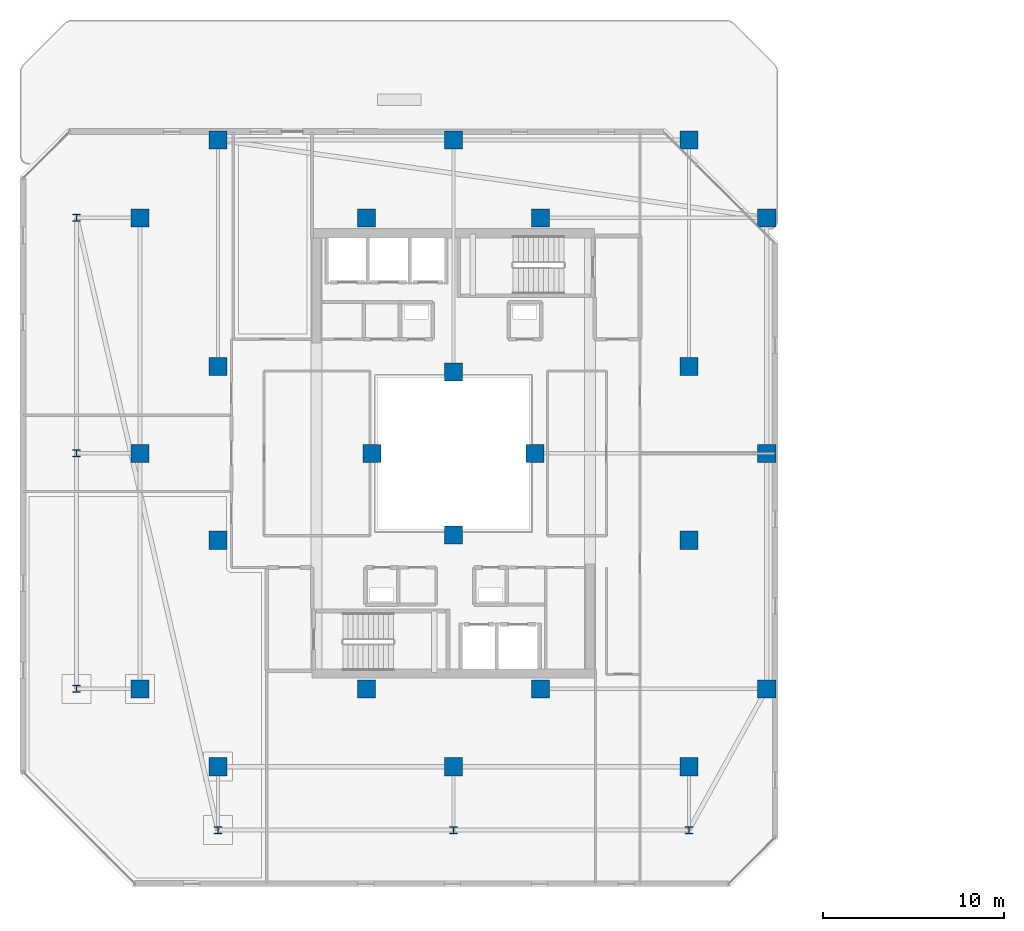
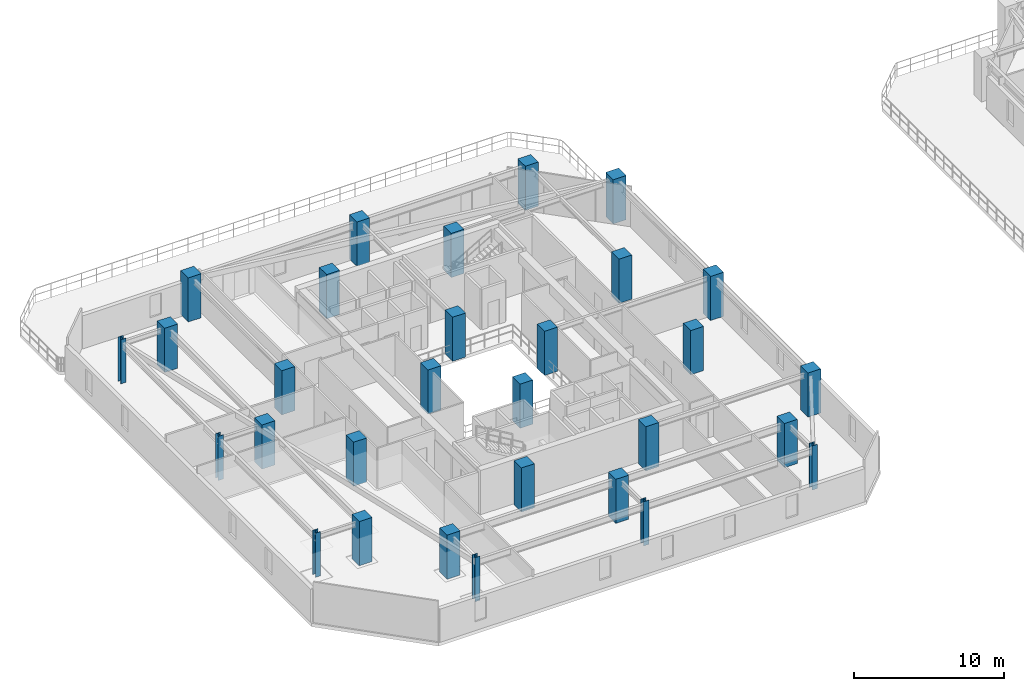
# One storey, part 1 of 29: 30 columns.
"""IFC4 building model written with IfcOpenShell, lengths in metres."""

from ifc_helpers import new_model, si_unit, direction, frame, origin, origin_2d, place, context, subcontext, project, spatial, rectangle, i_section, extrude, material, material_profile, profile_set, type_object, element, save


model = new_model("IFC4")

# Units and contexts
model_context = context("Model", 3, precision=1e-05, world=origin(), true_north=direction((0.0, 1.0)))
body_context = subcontext(model_context, "Body", "Model", "MODEL_VIEW")
ifc_project = project(units=[si_unit("LENGTHUNIT", "METRE"), si_unit("AREAUNIT", "SQUARE_METRE"), si_unit("VOLUMEUNIT", "CUBIC_METRE"), si_unit("PLANEANGLEUNIT", "RADIAN"), si_unit("MASSUNIT", "GRAM", prefix="KILO")], contexts=[model_context])

# Site, building, storey
site_placement = place(None, origin())
site = spatial("IfcSite", under=ifc_project, at=site_placement, CompositionType="ELEMENT")
building_placement = place(site_placement, origin())
building = spatial("IfcBuilding", under=site, at=building_placement, Name="Thornwick Lancets Civic Towers", CompositionType="ELEMENT")
storey_placement = place(building_placement, frame((0.0, 0.0, 229.5)))
storey = spatial("IfcBuildingStorey", under=building, at=storey_placement, Name="L61", CompositionType="ELEMENT", Elevation=229.5)

# Columns
ifc_material_1 = material(Name="Concrete C50/60", Category="concrete")
ifc_material_profile_1 = material_profile(ifc_material_1, rectangle(XDim=1.0, YDim=1.0, at=origin_2d()), Name="RC 1000x1000")
ifc_profile_set_1 = profile_set([ifc_material_profile_1], Name="Concrete C50/60")
column_type_1 = type_object("IfcColumnType", Name="COL_RC_1000", PredefinedType="COLUMN", material=ifc_profile_set_1)
for number, where, z_axis, x_axis, name in (
    (1, (12.5, 9.699951171875, 0.0), (0.0, 0.0, 1.0), (1.0, 0.0, 0.0), "L61 Spine Mega-Column A01"),
    (2, (25.5, 9.699951171875, 0.0), (0.0, 0.0, 1.0), (1.0, 0.0, 0.0), "L61 Spine Mega-Column A02"),
    (3, (38.5, 9.699951171875, 0.0), (0.0, 0.0, 1.0), (1.0, 0.0, 0.0), "L61 Spine Mega-Column A03"),
    (4, (42.800048828125, 14.0, 0.0), (0.0, 0.0, 1.0), (1.0, 0.0, 0.0), "L61 Spine Mega-Column A04"),
    (5, (42.800048828125, 27.0, 0.0), (0.0, 0.0, 1.0), (1.0, 0.0, 0.0), "L61 Spine Mega-Column A05"),
    (6, (42.800048828125, 40.0, 0.0), (0.0, 0.0, 1.0), (1.0, 0.0, 0.0), "L61 Spine Mega-Column A06"),
    (7, (12.5, 44.300048828125, 0.0), (0.0, 0.0, 1.0), (1.0, 0.0, 0.0), "L61 Spine Mega-Column A07"),
    (8, (25.5, 44.300048828125, 0.0), (0.0, 0.0, 1.0), (1.0, 0.0, 0.0), "L61 Spine Mega-Column A08"),
    (9, (38.5, 44.300048828125, 0.0), (0.0, 0.0, 1.0), (1.0, 0.0, 0.0), "L61 Spine Mega-Column A09"),
    (10, (8.199951171875, 14.0, 0.0), (0.0, 0.0, 1.0), (1.0, 0.0, 0.0), "L61 Spine Mega-Column A10"),
    (11, (8.199951171875, 27.0, 0.0), (0.0, 0.0, 1.0), (1.0, 0.0, 0.0), "L61 Spine Mega-Column A11"),
    (12, (8.199951171875, 40.0, 0.0), (0.0, 0.0, 1.0), (1.0, 0.0, 0.0), "L61 Spine Mega-Column A12"),
    (13, (12.5, 22.199951171875, 0.0), (0.0, 0.0, 1.0), (1.0, 0.0, 0.0), "L61 Spine Mega-Column A13"),
    (14, (38.5, 22.199951171875, 0.0), (0.0, 0.0, 1.0), (1.0, 0.0, 0.0), "L61 Spine Mega-Column A14"),
    (15, (12.5, 31.800048828125, 0.0), (0.0, 0.0, 1.0), (1.0, 0.0, 0.0), "L61 Spine Mega-Column A15"),
    (16, (38.5, 31.800048828125, 0.0), (0.0, 0.0, 1.0), (1.0, 0.0, 0.0), "L61 Spine Mega-Column A16"),
    (17, (20.699951171875, 14.0, 0.0), (0.0, 0.0, 1.0), (1.0, 0.0, 0.0), "L61 Spine Mega-Column A17"),
    (18, (30.300048828125, 14.0, 0.0), (0.0, 0.0, 1.0), (1.0, 0.0, 0.0), "L61 Spine Mega-Column A18"),
    (19, (20.699951171875, 40.0, 0.0), (0.0, 0.0, 1.0), (1.0, 0.0, 0.0), "L61 Spine Mega-Column A19"),
    (20, (30.300048828125, 40.0, 0.0), (0.0, 0.0, 1.0), (1.0, 0.0, 0.0), "L61 Spine Mega-Column A20"),
    (21, (25.5, 22.5, 0.0), (0.0, 0.0, 1.0), (1.0, 0.0, 0.0), "L61 Spine Mega-Column A21"),
    (22, (25.5, 31.5, 0.0), (0.0, 0.0, 1.0), (1.0, 0.0, 0.0), "L61 Spine Mega-Column A22"),
    (23, (21.0, 27.0, 0.0), (0.0, 0.0, 1.0), (1.0, 0.0, 0.0), "L61 Spine Mega-Column A23"),
    (24, (30.0, 27.0, 0.0), (0.0, 0.0, 1.0), (1.0, 0.0, 0.0), "L61 Spine Mega-Column A24"),
):
    element("IfcColumn", number, at=place(storey_placement, frame(where, z_axis=z_axis, x_axis=x_axis)), inside=storey, type_object=column_type_1, Name=name, PredefinedType="COLUMN", context=body_context, shape_type="SweptSolid", body=[
        extrude(rectangle(XDim=1.0, YDim=1.0, at=origin_2d()), origin(), (0.0, 0.0, 1.0), 3.60009765625),
    ])
ifc_material_2 = material(Name="Steel S355JR", Category="steel")
ifc_material_profile_2 = material_profile(ifc_material_2, i_section(OverallWidth=0.39892578125, OverallDepth=0.3935546875, WebThickness=0.022705078125, FlangeThickness=0.03662109375, FilletRadius=0.01513671875, at=origin_2d()), Name="UKC 356x406x287")
ifc_profile_set_2 = profile_set([ifc_material_profile_2], Name="Steel S355JR")
column_type_2 = type_object("IfcColumnType", Name="COL_UKC_287", PredefinedType="COLUMN", material=ifc_profile_set_2)
for number, where, z_axis, x_axis, name in (
    (25, (12.5, 6.199951171875, 0.0), (0.0, 0.0, 1.0), (1.0, 0.0, 0.0), "L61 Block Perimeter Column A01"),
    (26, (25.5, 6.199951171875, 0.0), (0.0, 0.0, 1.0), (1.0, 0.0, 0.0), "L61 Block Perimeter Column A02"),
    (27, (38.5, 6.199951171875, 0.0), (0.0, 0.0, 1.0), (1.0, 0.0, 0.0), "L61 Block Perimeter Column A03"),
    (28, (4.699951171875, 14.0, 0.0), (0.0, 0.0, 1.0), (1.0, 0.0, 0.0), "L61 Block Perimeter Column A10"),
    (29, (4.699951171875, 27.0, 0.0), (0.0, 0.0, 1.0), (1.0, 0.0, 0.0), "L61 Block Perimeter Column A11"),
    (30, (4.699951171875, 40.0, 0.0), (0.0, 0.0, 1.0), (1.0, 0.0, 0.0), "L61 Block Perimeter Column A12"),
):
    element("IfcColumn", number, at=place(storey_placement, frame(where, z_axis=z_axis, x_axis=x_axis)), inside=storey, type_object=column_type_2, Name=name, PredefinedType="COLUMN", context=body_context, shape_type="SweptSolid", body=[
        extrude(i_section(OverallWidth=0.39892578125, OverallDepth=0.3935546875, WebThickness=0.022705078125, FlangeThickness=0.03662109375, FilletRadius=0.01513671875, at=origin_2d()), origin(), (0.0, 0.0, 1.0), 3.60009765625),
    ])

save(model, "model.ifc")
